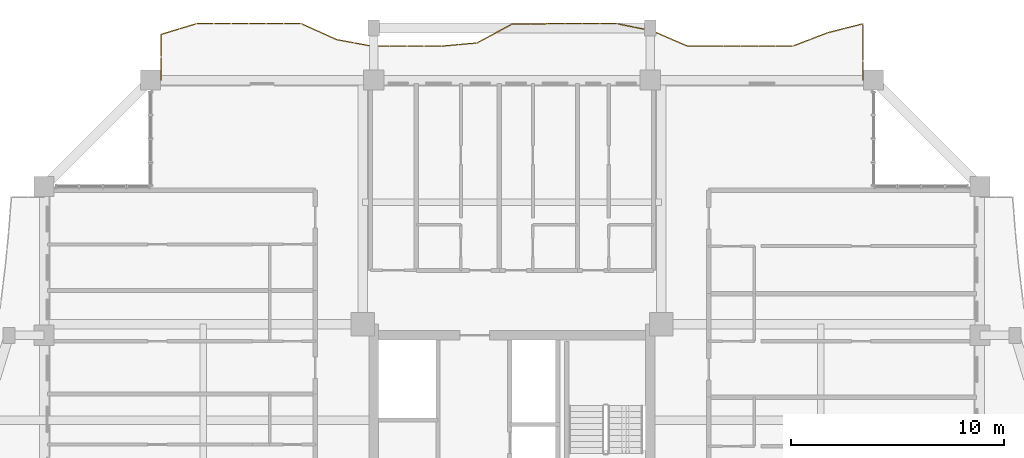
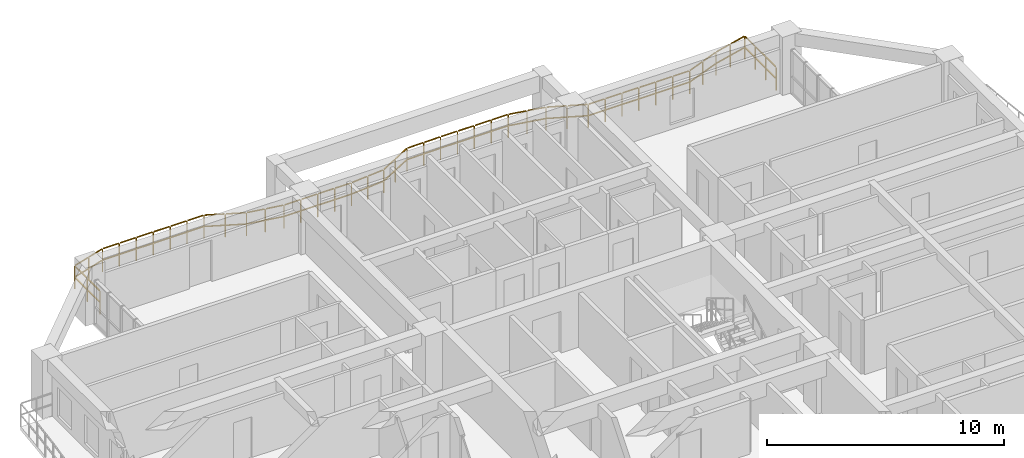
# One storey, part 24 of 24: 1 railing.
"""IFC4 building model written with IfcOpenShell, lengths in metres."""

from ifc_helpers import new_model, si_unit, direction, frame, origin, origin_2d, place, context, subcontext, project, spatial, rectangle, extrude, material, type_object, element, save


model = new_model("IFC4")

# Units and contexts
model_context = context("Model", 3, precision=1e-05, world=origin(), true_north=direction((0.0, 1.0)))
body_context = subcontext(model_context, "Body", "Model", "MODEL_VIEW")
ifc_project = project(units=[si_unit("LENGTHUNIT", "METRE"), si_unit("AREAUNIT", "SQUARE_METRE"), si_unit("VOLUMEUNIT", "CUBIC_METRE"), si_unit("PLANEANGLEUNIT", "RADIAN"), si_unit("MASSUNIT", "GRAM", prefix="KILO")], contexts=[model_context])

# Site, building, storey
site_placement = place(None, origin())
site = spatial("IfcSite", under=ifc_project, at=site_placement, CompositionType="ELEMENT")
building_placement = place(site_placement, origin())
building = spatial("IfcBuilding", under=site, at=building_placement, Name="Saelheon Loggia Tower", CompositionType="ELEMENT")
storey_placement = place(building_placement, frame((0.0, 0.0, 166.0)))
storey = spatial("IfcBuildingStorey", under=building, at=storey_placement, Name="L52", CompositionType="ELEMENT", Elevation=166.0)

# Railing
ifc_material = material(Name="Architectural Precast Concrete and Laminated Glass Guard", Category="concrete")
railing_type = type_object("IfcRailingType", Name="Guard_Loggia_RL_LOG", PredefinedType="BALUSTRADE", material=ifc_material)
railing_placement = place(storey_placement, frame((54.5, 48.0, 0.0)))
element("IfcRailing", 1, at=railing_placement, inside=storey, type_object=railing_type, Name="L52 North Loggia Balustrade", PredefinedType="BALUSTRADE", context=body_context, shape_type="SweptSolid", body=[
    extrude(rectangle(XDim=0.048095703125, YDim=0.048095703125, at=origin_2d()), frame((0.0, 0.033203125, 1.19580078125), z_axis=(0.0, 1.0, 0.0), x_axis=(-1.0, 0.0, 0.0)), (0.0, 0.0, 1.0), 0.81689453125),
    extrude(rectangle(XDim=0.048095703125, YDim=0.048095703125, at=origin_2d()), frame((0.0, 0.033203125, 0.60986328125), z_axis=(0.0, 1.0, 0.0), x_axis=(-1.0, 0.0, 0.0)), (0.0, 0.0, 1.0), 0.81689453125),
    extrude(rectangle(XDim=0.048095703125, YDim=0.048095703125, at=origin_2d()), frame((0.0, 0.91650390625, 1.19580078125), z_axis=(0.0, 1.0, 0.0), x_axis=(-1.0, 0.0, 0.0)), (0.0, 0.0, 1.0), 0.81689453125),
    extrude(rectangle(XDim=0.048095703125, YDim=0.048095703125, at=origin_2d()), frame((0.0, 0.91650390625, 0.60986328125), z_axis=(0.0, 1.0, 0.0), x_axis=(-1.0, 0.0, 0.0)), (0.0, 0.0, 1.0), 0.81689453125),
    extrude(rectangle(XDim=0.048095703125, YDim=0.048095703125, at=origin_2d()), frame((0.0, 1.7998046875, 1.19580078125), z_axis=(0.0, 1.0, 0.0), x_axis=(-1.0, 0.0, 0.0)), (0.0, 0.0, 1.0), 0.81689453125),
    extrude(rectangle(XDim=0.048095703125, YDim=0.048095703125, at=origin_2d()), frame((0.0, 1.7998046875, 0.60986328125), z_axis=(0.0, 1.0, 0.0), x_axis=(-1.0, 0.0, 0.0)), (0.0, 0.0, 1.0), 0.81689453125),
    extrude(rectangle(XDim=0.048095703125, YDim=0.048095703125, at=origin_2d()), frame((-0.0322265625, 2.641845703125, 1.19580078125), z_axis=(-0.969310022118, -0.245841577081, 0.0), x_axis=(0.245841577081, -0.969310022118, 0.0)), (0.0, 0.0, 1.0), 0.78466796875),
    extrude(rectangle(XDim=0.048095703125, YDim=0.048095703125, at=origin_2d()), frame((-0.0322265625, 2.641845703125, 0.60986328125), z_axis=(-0.969310022118, -0.245841577081, 0.0), x_axis=(0.245841577081, -0.969310022118, 0.0)), (0.0, 0.0, 1.0), 0.78466796875),
    extrude(rectangle(XDim=0.048095703125, YDim=0.048095703125, at=origin_2d()), frame((-0.857177734375, 2.4326171875, 1.19580078125), z_axis=(-0.969310022118, -0.245841577081, 0.0), x_axis=(0.245841577081, -0.969310022118, 0.0)), (0.0, 0.0, 1.0), 0.78466796875),
    extrude(rectangle(XDim=0.048095703125, YDim=0.048095703125, at=origin_2d()), frame((-0.857177734375, 2.4326171875, 0.60986328125), z_axis=(-0.969310022118, -0.245841577081, 0.0), x_axis=(0.245841577081, -0.969310022118, 0.0)), (0.0, 0.0, 1.0), 0.78466796875),
    extrude(rectangle(XDim=0.048095703125, YDim=0.048095703125, at=origin_2d()), frame((-1.680908203125, 2.219482421875, 1.19580078125), z_axis=(-0.933974535155, -0.357339569154, 0.0), x_axis=(0.357339569154, -0.933974535155, 0.0)), (0.0, 0.0, 1.0), 0.81689453125),
    extrude(rectangle(XDim=0.048095703125, YDim=0.048095703125, at=origin_2d()), frame((-1.680908203125, 2.219482421875, 0.60986328125), z_axis=(-0.933974535155, -0.357339569154, 0.0), x_axis=(0.357339569154, -0.933974535155, 0.0)), (0.0, 0.0, 1.0), 0.81689453125),
    extrude(rectangle(XDim=0.048095703125, YDim=0.048095703125, at=origin_2d()), frame((-2.506103515625, 1.90380859375, 1.19580078125), z_axis=(-0.933974535155, -0.357339569154, 0.0), x_axis=(0.357339569154, -0.933974535155, 0.0)), (0.0, 0.0, 1.0), 0.81689453125),
    extrude(rectangle(XDim=0.048095703125, YDim=0.048095703125, at=origin_2d()), frame((-2.506103515625, 1.90380859375, 0.60986328125), z_axis=(-0.933974535155, -0.357339569154, 0.0), x_axis=(0.357339569154, -0.933974535155, 0.0)), (0.0, 0.0, 1.0), 0.81689453125),
    extrude(rectangle(XDim=0.048095703125, YDim=0.048095703125, at=origin_2d()), frame((-3.333251953125, 1.60009765625, 1.19580078125), z_axis=(-1.0, 0.0, 0.0), x_axis=(0.0, -1.0, 0.0)), (0.0, 0.0, 1.0), 0.758544921875),
    extrude(rectangle(XDim=0.048095703125, YDim=0.048095703125, at=origin_2d()), frame((-3.333251953125, 1.60009765625, 0.60986328125), z_axis=(-1.0, 0.0, 0.0), x_axis=(0.0, -1.0, 0.0)), (0.0, 0.0, 1.0), 0.758544921875),
    extrude(rectangle(XDim=0.048095703125, YDim=0.048095703125, at=origin_2d()), frame((-4.158203125, 1.60009765625, 1.19580078125), z_axis=(-1.0, 0.0, 0.0), x_axis=(0.0, -1.0, 0.0)), (0.0, 0.0, 1.0), 0.758544921875),
    extrude(rectangle(XDim=0.048095703125, YDim=0.048095703125, at=origin_2d()), frame((-4.158203125, 1.60009765625, 0.60986328125), z_axis=(-1.0, 0.0, 0.0), x_axis=(0.0, -1.0, 0.0)), (0.0, 0.0, 1.0), 0.758544921875),
    extrude(rectangle(XDim=0.048095703125, YDim=0.048095703125, at=origin_2d()), frame((-4.983154296875, 1.60009765625, 1.19580078125), z_axis=(-1.0, 0.0, 0.0), x_axis=(0.0, -1.0, 0.0)), (0.0, 0.0, 1.0), 0.758544921875),
    extrude(rectangle(XDim=0.048095703125, YDim=0.048095703125, at=origin_2d()), frame((-4.983154296875, 1.60009765625, 0.60986328125), z_axis=(-1.0, 0.0, 0.0), x_axis=(0.0, -1.0, 0.0)), (0.0, 0.0, 1.0), 0.758544921875),
    extrude(rectangle(XDim=0.048095703125, YDim=0.048095703125, at=origin_2d()), frame((-5.808349609375, 1.60009765625, 1.19580078125), z_axis=(-1.0, 0.0, 0.0), x_axis=(0.0, -1.0, 0.0)), (0.0, 0.0, 1.0), 0.758544921875),
    extrude(rectangle(XDim=0.048095703125, YDim=0.048095703125, at=origin_2d()), frame((-5.808349609375, 1.60009765625, 0.60986328125), z_axis=(-1.0, 0.0, 0.0), x_axis=(0.0, -1.0, 0.0)), (0.0, 0.0, 1.0), 0.758544921875),
    extrude(rectangle(XDim=0.048095703125, YDim=0.048095703125, at=origin_2d()), frame((-6.63330078125, 1.60009765625, 1.19580078125), z_axis=(-1.0, 0.0, 0.0), x_axis=(0.0, -1.0, 0.0)), (0.0, 0.0, 1.0), 0.758544921875),
    extrude(rectangle(XDim=0.048095703125, YDim=0.048095703125, at=origin_2d()), frame((-6.63330078125, 1.60009765625, 0.60986328125), z_axis=(-1.0, 0.0, 0.0), x_axis=(0.0, -1.0, 0.0)), (0.0, 0.0, 1.0), 0.758544921875),
    extrude(rectangle(XDim=0.048095703125, YDim=0.048095703125, at=origin_2d()), frame((-7.458251953125, 1.60009765625, 1.19580078125), z_axis=(-1.0, 0.0, 0.0), x_axis=(0.0, -1.0, 0.0)), (0.0, 0.0, 1.0), 0.758544921875),
    extrude(rectangle(XDim=0.048095703125, YDim=0.048095703125, at=origin_2d()), frame((-7.458251953125, 1.60009765625, 0.60986328125), z_axis=(-1.0, 0.0, 0.0), x_axis=(0.0, -1.0, 0.0)), (0.0, 0.0, 1.0), 0.758544921875),
    extrude(rectangle(XDim=0.048095703125, YDim=0.048095703125, at=origin_2d()), frame((-8.280517578125, 1.61328125, 1.19580078125), z_axis=(-0.918024145396, 0.396524486595, 0.0), x_axis=(-0.396524486595, -0.918024145396, 0.0)), (0.0, 0.0, 1.0), 0.83203125),
    extrude(rectangle(XDim=0.048095703125, YDim=0.048095703125, at=origin_2d()), frame((-8.280517578125, 1.61328125, 0.60986328125), z_axis=(-0.918024145396, 0.396524486595, 0.0), x_axis=(-0.396524486595, -0.918024145396, 0.0)), (0.0, 0.0, 1.0), 0.83203125),
    extrude(rectangle(XDim=0.048095703125, YDim=0.048095703125, at=origin_2d()), frame((-9.10546875, 1.969482421875, 1.19580078125), z_axis=(-0.918024145396, 0.396524486595, 0.0), x_axis=(-0.396524486595, -0.918024145396, 0.0)), (0.0, 0.0, 1.0), 0.83203125),
    extrude(rectangle(XDim=0.048095703125, YDim=0.048095703125, at=origin_2d()), frame((-9.10546875, 1.969482421875, 0.60986328125), z_axis=(-0.918024145396, 0.396524486595, 0.0), x_axis=(-0.396524486595, -0.918024145396, 0.0)), (0.0, 0.0, 1.0), 0.83203125),
    extrude(rectangle(XDim=0.048095703125, YDim=0.048095703125, at=origin_2d()), frame((-9.932373046875, 2.3193359375, 1.19580078125), z_axis=(-0.979758245282, 0.200184367027, 0.0), x_axis=(-0.200184367027, -0.979758245282, 0.0)), (0.0, 0.0, 1.0), 0.775634765625),
    extrude(rectangle(XDim=0.048095703125, YDim=0.048095703125, at=origin_2d()), frame((-9.932373046875, 2.3193359375, 0.60986328125), z_axis=(-0.979758245282, 0.200184367027, 0.0), x_axis=(-0.200184367027, -0.979758245282, 0.0)), (0.0, 0.0, 1.0), 0.775634765625),
    extrude(rectangle(XDim=0.048095703125, YDim=0.048095703125, at=origin_2d()), frame((-10.757568359375, 2.488037109375, 1.19580078125), z_axis=(-0.979758245282, 0.200184367027, 0.0), x_axis=(-0.200184367027, -0.979758245282, 0.0)), (0.0, 0.0, 1.0), 0.775634765625),
    extrude(rectangle(XDim=0.048095703125, YDim=0.048095703125, at=origin_2d()), frame((-10.757568359375, 2.488037109375, 0.60986328125), z_axis=(-0.979758245282, 0.200184367027, 0.0), x_axis=(-0.200184367027, -0.979758245282, 0.0)), (0.0, 0.0, 1.0), 0.775634765625),
    extrude(rectangle(XDim=0.048095703125, YDim=0.048095703125, at=origin_2d()), frame((-11.583251953125, 2.64990234375, 1.19580078125), z_axis=(-1.0, 0.0, 0.0), x_axis=(0.0, -1.0, 0.0)), (0.0, 0.0, 1.0), 0.758544921875),
    extrude(rectangle(XDim=0.048095703125, YDim=0.048095703125, at=origin_2d()), frame((-11.583251953125, 2.64990234375, 0.60986328125), z_axis=(-1.0, 0.0, 0.0), x_axis=(0.0, -1.0, 0.0)), (0.0, 0.0, 1.0), 0.758544921875),
    extrude(rectangle(XDim=0.048095703125, YDim=0.048095703125, at=origin_2d()), frame((-12.408203125, 2.64990234375, 1.19580078125), z_axis=(-1.0, 0.0, 0.0), x_axis=(0.0, -1.0, 0.0)), (0.0, 0.0, 1.0), 0.758544921875),
    extrude(rectangle(XDim=0.048095703125, YDim=0.048095703125, at=origin_2d()), frame((-12.408203125, 2.64990234375, 0.60986328125), z_axis=(-1.0, 0.0, 0.0), x_axis=(0.0, -1.0, 0.0)), (0.0, 0.0, 1.0), 0.758544921875),
    extrude(rectangle(XDim=0.048095703125, YDim=0.048095703125, at=origin_2d()), frame((-13.233154296875, 2.64990234375, 1.19580078125), z_axis=(-1.0, 0.0, 0.0), x_axis=(0.0, -1.0, 0.0)), (0.0, 0.0, 1.0), 0.758544921875),
    extrude(rectangle(XDim=0.048095703125, YDim=0.048095703125, at=origin_2d()), frame((-13.233154296875, 2.64990234375, 0.60986328125), z_axis=(-1.0, 0.0, 0.0), x_axis=(0.0, -1.0, 0.0)), (0.0, 0.0, 1.0), 0.758544921875),
    extrude(rectangle(XDim=0.048095703125, YDim=0.048095703125, at=origin_2d()), frame((-14.058349609375, 2.64990234375, 1.19580078125), z_axis=(-1.0, 0.0, 0.0), x_axis=(0.0, -1.0, 0.0)), (0.0, 0.0, 1.0), 0.758544921875),
    extrude(rectangle(XDim=0.048095703125, YDim=0.048095703125, at=origin_2d()), frame((-14.058349609375, 2.64990234375, 0.60986328125), z_axis=(-1.0, 0.0, 0.0), x_axis=(0.0, -1.0, 0.0)), (0.0, 0.0, 1.0), 0.758544921875),
    extrude(rectangle(XDim=0.048095703125, YDim=0.048095703125, at=origin_2d()), frame((-14.88330078125, 2.6494140625, 1.19580078125), z_axis=(-0.999917145108, -0.012872564609, 0.0), x_axis=(0.012872564609, -0.999917145108, 0.0)), (0.0, 0.0, 1.0), 0.758544921875),
    extrude(rectangle(XDim=0.048095703125, YDim=0.048095703125, at=origin_2d()), frame((-14.88330078125, 2.6494140625, 0.60986328125), z_axis=(-0.999917145108, -0.012872564609, 0.0), x_axis=(0.012872564609, -0.999917145108, 0.0)), (0.0, 0.0, 1.0), 0.758544921875),
    extrude(rectangle(XDim=0.048095703125, YDim=0.048095703125, at=origin_2d()), frame((-15.708251953125, 2.638916015625, 1.19580078125), z_axis=(-0.999917145108, -0.012872564609, 0.0), x_axis=(0.012872564609, -0.999917145108, 0.0)), (0.0, 0.0, 1.0), 0.758544921875),
    extrude(rectangle(XDim=0.048095703125, YDim=0.048095703125, at=origin_2d()), frame((-15.708251953125, 2.638916015625, 0.60986328125), z_axis=(-0.999917145108, -0.012872564609, 0.0), x_axis=(0.012872564609, -0.999917145108, 0.0)), (0.0, 0.0, 1.0), 0.758544921875),
    extrude(rectangle(XDim=0.048095703125, YDim=0.048095703125, at=origin_2d()), frame((-16.529296875, 2.613037109375, 1.19580078125), z_axis=(-0.882258963507, -0.470764401066, 0.0), x_axis=(0.470764401066, -0.882258963507, 0.0)), (0.0, 0.0, 1.0), 0.86865234375),
    extrude(rectangle(XDim=0.048095703125, YDim=0.048095703125, at=origin_2d()), frame((-16.529296875, 2.613037109375, 0.60986328125), z_axis=(-0.882258963507, -0.470764401066, 0.0), x_axis=(0.470764401066, -0.882258963507, 0.0)), (0.0, 0.0, 1.0), 0.86865234375),
    extrude(rectangle(XDim=0.048095703125, YDim=0.048095703125, at=origin_2d()), frame((-17.354248046875, 2.1728515625, 1.19580078125), z_axis=(-0.882258963507, -0.470764401066, 0.0), x_axis=(0.470764401066, -0.882258963507, 0.0)), (0.0, 0.0, 1.0), 0.86865234375),
    extrude(rectangle(XDim=0.048095703125, YDim=0.048095703125, at=origin_2d()), frame((-17.354248046875, 2.1728515625, 0.60986328125), z_axis=(-0.882258963507, -0.470764401066, 0.0), x_axis=(0.470764401066, -0.882258963507, 0.0)), (0.0, 0.0, 1.0), 0.86865234375),
    extrude(rectangle(XDim=0.048095703125, YDim=0.048095703125, at=origin_2d()), frame((-18.18310546875, 1.745361328125, 1.19580078125), z_axis=(-0.99599165433, -0.089446210117, 0.0), x_axis=(0.089446210117, -0.99599165433, 0.0)), (0.0, 0.0, 1.0), 0.761962890625),
    extrude(rectangle(XDim=0.048095703125, YDim=0.048095703125, at=origin_2d()), frame((-18.18310546875, 1.745361328125, 0.60986328125), z_axis=(-0.99599165433, -0.089446210117, 0.0), x_axis=(0.089446210117, -0.99599165433, 0.0)), (0.0, 0.0, 1.0), 0.761962890625),
    extrude(rectangle(XDim=0.048095703125, YDim=0.048095703125, at=origin_2d()), frame((-19.008056640625, 1.671142578125, 1.19580078125), z_axis=(-0.99599165433, -0.089446210117, 0.0), x_axis=(0.089446210117, -0.99599165433, 0.0)), (0.0, 0.0, 1.0), 0.761962890625),
    extrude(rectangle(XDim=0.048095703125, YDim=0.048095703125, at=origin_2d()), frame((-19.008056640625, 1.671142578125, 0.60986328125), z_axis=(-0.99599165433, -0.089446210117, 0.0), x_axis=(0.089446210117, -0.99599165433, 0.0)), (0.0, 0.0, 1.0), 0.761962890625),
    extrude(rectangle(XDim=0.048095703125, YDim=0.048095703125, at=origin_2d()), frame((-19.833251953125, 1.60009765625, 1.19580078125), z_axis=(-1.0, 0.0, 0.0), x_axis=(0.0, -1.0, 0.0)), (0.0, 0.0, 1.0), 0.758544921875),
    extrude(rectangle(XDim=0.048095703125, YDim=0.048095703125, at=origin_2d()), frame((-19.833251953125, 1.60009765625, 0.60986328125), z_axis=(-1.0, 0.0, 0.0), x_axis=(0.0, -1.0, 0.0)), (0.0, 0.0, 1.0), 0.758544921875),
    extrude(rectangle(XDim=0.048095703125, YDim=0.048095703125, at=origin_2d()), frame((-20.658203125, 1.60009765625, 1.19580078125), z_axis=(-1.0, 0.0, 0.0), x_axis=(0.0, -1.0, 0.0)), (0.0, 0.0, 1.0), 0.758544921875),
    extrude(rectangle(XDim=0.048095703125, YDim=0.048095703125, at=origin_2d()), frame((-20.658203125, 1.60009765625, 0.60986328125), z_axis=(-1.0, 0.0, 0.0), x_axis=(0.0, -1.0, 0.0)), (0.0, 0.0, 1.0), 0.758544921875),
    extrude(rectangle(XDim=0.048095703125, YDim=0.048095703125, at=origin_2d()), frame((-21.483154296875, 1.60009765625, 1.19580078125), z_axis=(-1.0, 0.0, 0.0), x_axis=(0.0, -1.0, 0.0)), (0.0, 0.0, 1.0), 0.758544921875),
    extrude(rectangle(XDim=0.048095703125, YDim=0.048095703125, at=origin_2d()), frame((-21.483154296875, 1.60009765625, 0.60986328125), z_axis=(-1.0, 0.0, 0.0), x_axis=(0.0, -1.0, 0.0)), (0.0, 0.0, 1.0), 0.758544921875),
    extrude(rectangle(XDim=0.048095703125, YDim=0.048095703125, at=origin_2d()), frame((-22.308349609375, 1.60009765625, 1.19580078125), z_axis=(-1.0, 0.0, 0.0), x_axis=(0.0, -1.0, 0.0)), (0.0, 0.0, 1.0), 0.758544921875),
    extrude(rectangle(XDim=0.048095703125, YDim=0.048095703125, at=origin_2d()), frame((-22.308349609375, 1.60009765625, 0.60986328125), z_axis=(-1.0, 0.0, 0.0), x_axis=(0.0, -1.0, 0.0)), (0.0, 0.0, 1.0), 0.758544921875),
    extrude(rectangle(XDim=0.048095703125, YDim=0.048095703125, at=origin_2d()), frame((-23.1328125, 1.606201171875, 1.19580078125), z_axis=(-0.983164102329, 0.182724787293, 0.0), x_axis=(-0.182724787293, -0.983164102329, 0.0)), (0.0, 0.0, 1.0), 0.772705078125),
    extrude(rectangle(XDim=0.048095703125, YDim=0.048095703125, at=origin_2d()), frame((-23.1328125, 1.606201171875, 0.60986328125), z_axis=(-0.983164102329, 0.182724787293, 0.0), x_axis=(-0.182724787293, -0.983164102329, 0.0)), (0.0, 0.0, 1.0), 0.772705078125),
    extrude(rectangle(XDim=0.048095703125, YDim=0.048095703125, at=origin_2d()), frame((-23.957763671875, 1.759521484375, 1.19580078125), z_axis=(-0.983164102329, 0.182724787293, 0.0), x_axis=(-0.182724787293, -0.983164102329, 0.0)), (0.0, 0.0, 1.0), 0.772705078125),
    extrude(rectangle(XDim=0.048095703125, YDim=0.048095703125, at=origin_2d()), frame((-23.957763671875, 1.759521484375, 0.60986328125), z_axis=(-0.983164102329, 0.182724787293, 0.0), x_axis=(-0.182724787293, -0.983164102329, 0.0)), (0.0, 0.0, 1.0), 0.772705078125),
    extrude(rectangle(XDim=0.048095703125, YDim=0.048095703125, at=origin_2d()), frame((-24.7802734375, 1.92041015625, 1.19580078125), z_axis=(-0.911775028972, 0.410690024888, 0.0), x_axis=(-0.410690024888, -0.911775028972, 0.0)), (0.0, 0.0, 1.0), 0.83837890625),
    extrude(rectangle(XDim=0.048095703125, YDim=0.048095703125, at=origin_2d()), frame((-24.7802734375, 1.92041015625, 0.60986328125), z_axis=(-0.911775028972, 0.410690024888, 0.0), x_axis=(-0.410690024888, -0.911775028972, 0.0)), (0.0, 0.0, 1.0), 0.83837890625),
    extrude(rectangle(XDim=0.048095703125, YDim=0.048095703125, at=origin_2d()), frame((-25.605224609375, 2.2919921875, 1.19580078125), z_axis=(-0.911775028972, 0.410690024888, 0.0), x_axis=(-0.410690024888, -0.911775028972, 0.0)), (0.0, 0.0, 1.0), 0.83837890625),
    extrude(rectangle(XDim=0.048095703125, YDim=0.048095703125, at=origin_2d()), frame((-25.605224609375, 2.2919921875, 0.60986328125), z_axis=(-0.911775028972, 0.410690024888, 0.0), x_axis=(-0.410690024888, -0.911775028972, 0.0)), (0.0, 0.0, 1.0), 0.83837890625),
    extrude(rectangle(XDim=0.048095703125, YDim=0.048095703125, at=origin_2d()), frame((-26.43310546875, 2.64990234375, 1.19580078125), z_axis=(-1.0, 0.0, 0.0), x_axis=(0.0, -1.0, 0.0)), (0.0, 0.0, 1.0), 0.758544921875),
    extrude(rectangle(XDim=0.048095703125, YDim=0.048095703125, at=origin_2d()), frame((-26.43310546875, 2.64990234375, 0.60986328125), z_axis=(-1.0, 0.0, 0.0), x_axis=(0.0, -1.0, 0.0)), (0.0, 0.0, 1.0), 0.758544921875),
    extrude(rectangle(XDim=0.048095703125, YDim=0.048095703125, at=origin_2d()), frame((-27.25830078125, 2.64990234375, 1.19580078125), z_axis=(-1.0, 0.0, 0.0), x_axis=(0.0, -1.0, 0.0)), (0.0, 0.0, 1.0), 0.758544921875),
    extrude(rectangle(XDim=0.048095703125, YDim=0.048095703125, at=origin_2d()), frame((-27.25830078125, 2.64990234375, 0.60986328125), z_axis=(-1.0, 0.0, 0.0), x_axis=(0.0, -1.0, 0.0)), (0.0, 0.0, 1.0), 0.758544921875),
    extrude(rectangle(XDim=0.048095703125, YDim=0.048095703125, at=origin_2d()), frame((-28.083251953125, 2.64990234375, 1.19580078125), z_axis=(-1.0, 0.0, 0.0), x_axis=(0.0, -1.0, 0.0)), (0.0, 0.0, 1.0), 0.758544921875),
    extrude(rectangle(XDim=0.048095703125, YDim=0.048095703125, at=origin_2d()), frame((-28.083251953125, 2.64990234375, 0.60986328125), z_axis=(-1.0, 0.0, 0.0), x_axis=(0.0, -1.0, 0.0)), (0.0, 0.0, 1.0), 0.758544921875),
    extrude(rectangle(XDim=0.048095703125, YDim=0.048095703125, at=origin_2d()), frame((-28.908203125, 2.64990234375, 1.19580078125), z_axis=(-1.0, 0.0, 0.0), x_axis=(0.0, -1.0, 0.0)), (0.0, 0.0, 1.0), 0.758544921875),
    extrude(rectangle(XDim=0.048095703125, YDim=0.048095703125, at=origin_2d()), frame((-28.908203125, 2.64990234375, 0.60986328125), z_axis=(-1.0, 0.0, 0.0), x_axis=(0.0, -1.0, 0.0)), (0.0, 0.0, 1.0), 0.758544921875),
    extrude(rectangle(XDim=0.048095703125, YDim=0.048095703125, at=origin_2d()), frame((-29.733154296875, 2.64990234375, 1.19580078125), z_axis=(-1.0, 0.0, 0.0), x_axis=(0.0, -1.0, 0.0)), (0.0, 0.0, 1.0), 0.758544921875),
    extrude(rectangle(XDim=0.048095703125, YDim=0.048095703125, at=origin_2d()), frame((-29.733154296875, 2.64990234375, 0.60986328125), z_axis=(-1.0, 0.0, 0.0), x_axis=(0.0, -1.0, 0.0)), (0.0, 0.0, 1.0), 0.758544921875),
    extrude(rectangle(XDim=0.048095703125, YDim=0.048095703125, at=origin_2d()), frame((-30.558349609375, 2.64990234375, 1.19580078125), z_axis=(-1.0, 0.0, 0.0), x_axis=(0.0, -1.0, 0.0)), (0.0, 0.0, 1.0), 0.758544921875),
    extrude(rectangle(XDim=0.048095703125, YDim=0.048095703125, at=origin_2d()), frame((-30.558349609375, 2.64990234375, 0.60986328125), z_axis=(-1.0, 0.0, 0.0), x_axis=(0.0, -1.0, 0.0)), (0.0, 0.0, 1.0), 0.758544921875),
    extrude(rectangle(XDim=0.048095703125, YDim=0.048095703125, at=origin_2d()), frame((-31.3818359375, 2.640380859375, 1.19580078125), z_axis=(-0.957019640205, -0.290023116771, 0.0), x_axis=(0.290023116771, -0.957019640205, 0.0)), (0.0, 0.0, 1.0), 0.79541015625),
    extrude(rectangle(XDim=0.048095703125, YDim=0.048095703125, at=origin_2d()), frame((-31.3818359375, 2.640380859375, 0.60986328125), z_axis=(-0.957019640205, -0.290023116771, 0.0), x_axis=(0.290023116771, -0.957019640205, 0.0)), (0.0, 0.0, 1.0), 0.79541015625),
    extrude(rectangle(XDim=0.048095703125, YDim=0.048095703125, at=origin_2d()), frame((-32.206787109375, 2.390380859375, 1.19580078125), z_axis=(-0.957019640205, -0.290023116771, 0.0), x_axis=(0.290023116771, -0.957019640205, 0.0)), (0.0, 0.0, 1.0), 0.79541015625),
    extrude(rectangle(XDim=0.048095703125, YDim=0.048095703125, at=origin_2d()), frame((-32.206787109375, 2.390380859375, 0.60986328125), z_axis=(-0.957019640205, -0.290023116771, 0.0), x_axis=(0.290023116771, -0.957019640205, 0.0)), (0.0, 0.0, 1.0), 0.79541015625),
    extrude(rectangle(XDim=0.048095703125, YDim=0.048095703125, at=origin_2d()), frame((-33.0, 2.11669921875, 1.19580078125), z_axis=(0.0, -1.0, 0.0), x_axis=(1.0, 0.0, 0.0)), (0.0, 0.0, 1.0), 1.008544921875),
    extrude(rectangle(XDim=0.048095703125, YDim=0.048095703125, at=origin_2d()), frame((-33.0, 2.11669921875, 0.60986328125), z_axis=(0.0, -1.0, 0.0), x_axis=(1.0, 0.0, 0.0)), (0.0, 0.0, 1.0), 1.008544921875),
    extrude(rectangle(XDim=0.048095703125, YDim=0.048095703125, at=origin_2d()), frame((-33.0, 1.041748046875, 1.19580078125), z_axis=(0.0, -1.0, 0.0), x_axis=(1.0, 0.0, 0.0)), (0.0, 0.0, 1.0), 1.008544921875),
    extrude(rectangle(XDim=0.048095703125, YDim=0.048095703125, at=origin_2d()), frame((-33.0, 1.041748046875, 0.60986328125), z_axis=(0.0, -1.0, 0.0), x_axis=(1.0, 0.0, 0.0)), (0.0, 0.0, 1.0), 1.008544921875),
    extrude(rectangle(XDim=0.0419921875, YDim=0.0419921875, at=origin_2d()), origin(), (0.0, 0.0, 1.0), 1.16796875),
    extrude(rectangle(XDim=0.0419921875, YDim=0.0419921875, at=origin_2d()), frame((0.0, 0.88330078125, 0.0)), (0.0, 0.0, 1.0), 1.16796875),
    extrude(rectangle(XDim=0.0419921875, YDim=0.0419921875, at=origin_2d()), frame((0.0, 1.7666015625, 0.0)), (0.0, 0.0, 1.0), 1.16796875),
    extrude(rectangle(XDim=0.0419921875, YDim=0.0419921875, at=origin_2d()), frame((0.0, 2.64990234375, 0.0)), (0.0, 0.0, 1.0), 1.16796875),
    extrude(rectangle(XDim=0.0419921875, YDim=0.0419921875, at=origin_2d()), frame((-0.824951171875, 2.440673828125, 0.0)), (0.0, 0.0, 1.0), 1.16796875),
    extrude(rectangle(XDim=0.0419921875, YDim=0.0419921875, at=origin_2d()), frame((-1.64990234375, 2.2314453125, 0.0)), (0.0, 0.0, 1.0), 1.16796875),
    extrude(rectangle(XDim=0.0419921875, YDim=0.0419921875, at=origin_2d()), frame((-2.47509765625, 1.915771484375, 0.0)), (0.0, 0.0, 1.0), 1.16796875),
    extrude(rectangle(XDim=0.0419921875, YDim=0.0419921875, at=origin_2d()), frame((-3.300048828125, 1.60009765625, 0.0)), (0.0, 0.0, 1.0), 1.16796875),
    extrude(rectangle(XDim=0.0419921875, YDim=0.0419921875, at=origin_2d()), frame((-4.125, 1.60009765625, 0.0)), (0.0, 0.0, 1.0), 1.16796875),
    extrude(rectangle(XDim=0.0419921875, YDim=0.0419921875, at=origin_2d()), frame((-4.949951171875, 1.60009765625, 0.0)), (0.0, 0.0, 1.0), 1.16796875),
    extrude(rectangle(XDim=0.0419921875, YDim=0.0419921875, at=origin_2d()), frame((-5.77490234375, 1.60009765625, 0.0)), (0.0, 0.0, 1.0), 1.16796875),
    extrude(rectangle(XDim=0.0419921875, YDim=0.0419921875, at=origin_2d()), frame((-6.60009765625, 1.60009765625, 0.0)), (0.0, 0.0, 1.0), 1.16796875),
    extrude(rectangle(XDim=0.0419921875, YDim=0.0419921875, at=origin_2d()), frame((-7.425048828125, 1.60009765625, 0.0)), (0.0, 0.0, 1.0), 1.16796875),
    extrude(rectangle(XDim=0.0419921875, YDim=0.0419921875, at=origin_2d()), frame((-8.25, 1.60009765625, 0.0)), (0.0, 0.0, 1.0), 1.16796875),
    extrude(rectangle(XDim=0.0419921875, YDim=0.0419921875, at=origin_2d()), frame((-9.074951171875, 1.95654296875, 0.0)), (0.0, 0.0, 1.0), 1.16796875),
    extrude(rectangle(XDim=0.0419921875, YDim=0.0419921875, at=origin_2d()), frame((-9.89990234375, 2.312744140625, 0.0)), (0.0, 0.0, 1.0), 1.16796875),
    extrude(rectangle(XDim=0.0419921875, YDim=0.0419921875, at=origin_2d()), frame((-10.72509765625, 2.4814453125, 0.0)), (0.0, 0.0, 1.0), 1.16796875),
    extrude(rectangle(XDim=0.0419921875, YDim=0.0419921875, at=origin_2d()), frame((-11.550048828125, 2.64990234375, 0.0)), (0.0, 0.0, 1.0), 1.16796875),
    extrude(rectangle(XDim=0.0419921875, YDim=0.0419921875, at=origin_2d()), frame((-12.375, 2.64990234375, 0.0)), (0.0, 0.0, 1.0), 1.16796875),
    extrude(rectangle(XDim=0.0419921875, YDim=0.0419921875, at=origin_2d()), frame((-13.199951171875, 2.64990234375, 0.0)), (0.0, 0.0, 1.0), 1.16796875),
    extrude(rectangle(XDim=0.0419921875, YDim=0.0419921875, at=origin_2d()), frame((-14.02490234375, 2.64990234375, 0.0)), (0.0, 0.0, 1.0), 1.16796875),
    extrude(rectangle(XDim=0.0419921875, YDim=0.0419921875, at=origin_2d()), frame((-14.85009765625, 2.64990234375, 0.0)), (0.0, 0.0, 1.0), 1.16796875),
    extrude(rectangle(XDim=0.0419921875, YDim=0.0419921875, at=origin_2d()), frame((-15.675048828125, 2.63916015625, 0.0)), (0.0, 0.0, 1.0), 1.16796875),
    extrude(rectangle(XDim=0.0419921875, YDim=0.0419921875, at=origin_2d()), frame((-16.5, 2.628662109375, 0.0)), (0.0, 0.0, 1.0), 1.16796875),
    extrude(rectangle(XDim=0.0419921875, YDim=0.0419921875, at=origin_2d()), frame((-17.324951171875, 2.1884765625, 0.0)), (0.0, 0.0, 1.0), 1.16796875),
    extrude(rectangle(XDim=0.0419921875, YDim=0.0419921875, at=origin_2d()), frame((-18.14990234375, 1.748291015625, 0.0)), (0.0, 0.0, 1.0), 1.16796875),
    extrude(rectangle(XDim=0.0419921875, YDim=0.0419921875, at=origin_2d()), frame((-18.97509765625, 1.67431640625, 0.0)), (0.0, 0.0, 1.0), 1.16796875),
    extrude(rectangle(XDim=0.0419921875, YDim=0.0419921875, at=origin_2d()), frame((-19.800048828125, 1.60009765625, 0.0)), (0.0, 0.0, 1.0), 1.16796875),
    extrude(rectangle(XDim=0.0419921875, YDim=0.0419921875, at=origin_2d()), frame((-20.625, 1.60009765625, 0.0)), (0.0, 0.0, 1.0), 1.16796875),
    extrude(rectangle(XDim=0.0419921875, YDim=0.0419921875, at=origin_2d()), frame((-21.449951171875, 1.60009765625, 0.0)), (0.0, 0.0, 1.0), 1.16796875),
    extrude(rectangle(XDim=0.0419921875, YDim=0.0419921875, at=origin_2d()), frame((-22.27490234375, 1.60009765625, 0.0)), (0.0, 0.0, 1.0), 1.16796875),
    extrude(rectangle(XDim=0.0419921875, YDim=0.0419921875, at=origin_2d()), frame((-23.10009765625, 1.60009765625, 0.0)), (0.0, 0.0, 1.0), 1.16796875),
    extrude(rectangle(XDim=0.0419921875, YDim=0.0419921875, at=origin_2d()), frame((-23.925048828125, 1.75341796875, 0.0)), (0.0, 0.0, 1.0), 1.16796875),
    extrude(rectangle(XDim=0.0419921875, YDim=0.0419921875, at=origin_2d()), frame((-24.75, 1.90673828125, 0.0)), (0.0, 0.0, 1.0), 1.16796875),
    extrude(rectangle(XDim=0.0419921875, YDim=0.0419921875, at=origin_2d()), frame((-25.574951171875, 2.2783203125, 0.0)), (0.0, 0.0, 1.0), 1.16796875),
    extrude(rectangle(XDim=0.0419921875, YDim=0.0419921875, at=origin_2d()), frame((-26.39990234375, 2.64990234375, 0.0)), (0.0, 0.0, 1.0), 1.16796875),
    extrude(rectangle(XDim=0.0419921875, YDim=0.0419921875, at=origin_2d()), frame((-27.22509765625, 2.64990234375, 0.0)), (0.0, 0.0, 1.0), 1.16796875),
    extrude(rectangle(XDim=0.0419921875, YDim=0.0419921875, at=origin_2d()), frame((-28.050048828125, 2.64990234375, 0.0)), (0.0, 0.0, 1.0), 1.16796875),
    extrude(rectangle(XDim=0.0419921875, YDim=0.0419921875, at=origin_2d()), frame((-28.875, 2.64990234375, 0.0)), (0.0, 0.0, 1.0), 1.16796875),
    extrude(rectangle(XDim=0.0419921875, YDim=0.0419921875, at=origin_2d()), frame((-29.699951171875, 2.64990234375, 0.0)), (0.0, 0.0, 1.0), 1.16796875),
    extrude(rectangle(XDim=0.0419921875, YDim=0.0419921875, at=origin_2d()), frame((-30.52490234375, 2.64990234375, 0.0)), (0.0, 0.0, 1.0), 1.16796875),
    extrude(rectangle(XDim=0.0419921875, YDim=0.0419921875, at=origin_2d()), frame((-31.35009765625, 2.64990234375, 0.0)), (0.0, 0.0, 1.0), 1.16796875),
    extrude(rectangle(XDim=0.0419921875, YDim=0.0419921875, at=origin_2d()), frame((-32.175048828125, 2.39990234375, 0.0)), (0.0, 0.0, 1.0), 1.16796875),
    extrude(rectangle(XDim=0.0419921875, YDim=0.0419921875, at=origin_2d()), frame((-33.0, 2.14990234375, 0.0)), (0.0, 0.0, 1.0), 1.16796875),
    extrude(rectangle(XDim=0.0419921875, YDim=0.0419921875, at=origin_2d()), frame((-33.0, 1.074951171875, 0.0)), (0.0, 0.0, 1.0), 1.16796875),
    extrude(rectangle(XDim=0.0419921875, YDim=0.0419921875, at=origin_2d()), frame((-33.0, 0.0, 0.0)), (0.0, 0.0, 1.0), 1.16796875),
])

save(model, "model.ifc")
